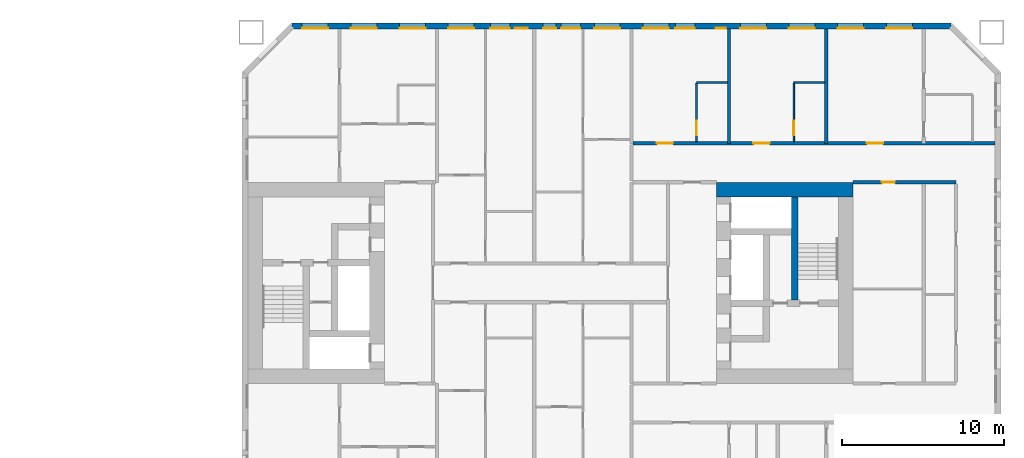
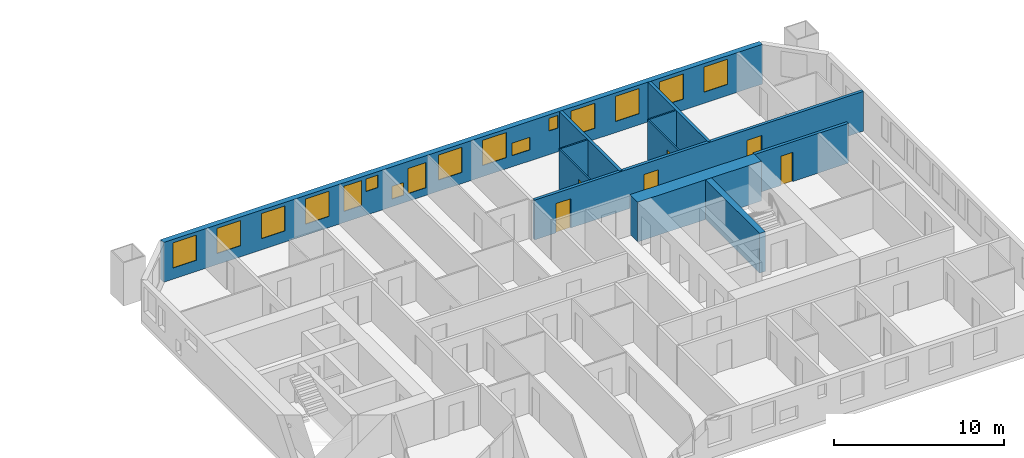
# One storey, part 15 of 18: 16 windows, 11 walls, 6 doors, 22 openings.
"""IFC4 building model written with IfcOpenShell, lengths in metres."""

import ifcopenshell
import ifcopenshell.guid

model = None  # the IFC model being written
_history = None  # IfcOwnerHistory: only IFC2X3 demands one
_inside = {}  # id of a spatial element -> (the spatial element, [elements in it])
_under = {}  # id of a project, library or spatial element -> (it, [spatial elements below it])
_declared = {}  # id of a project -> (the project, [libraries it declares])
_typed = {}  # id of a type object -> (the type object, [elements of that type])
_made_of = {}  # id of a material, layer set ... -> (it, [elements and type objects made of it])


def new_model(schema):
    """Start an empty IFC model of exactly this schema.

    Asked for "IFC4X3", IfcOpenShell would pick the latest addendum, in which some entities
    have other attributes; the version numbers below select the first issue.
    IFC2X3 requires an IfcOwnerHistory on every rooted entity: one is made here for all.
    """
    global model, _history
    if schema == "IFC4X3":
        model = ifcopenshell.file(schema_version=(4, 3, 0, 0))
    else:
        model = ifcopenshell.file(schema=schema)
    _inside.clear()
    _under.clear()
    _declared.clear()
    _typed.clear()
    _made_of.clear()
    _history = None
    if model.schema == "IFC2X3":
        org = make("IfcOrganization", Name="unknown")
        user = make(
            "IfcPersonAndOrganization",
            ThePerson=make("IfcPerson", FamilyName="unknown"),
            TheOrganization=org,
        )
        app = make(
            "IfcApplication",
            ApplicationDeveloper=org,
            Version="unknown",
            ApplicationFullName="unknown",
            ApplicationIdentifier="unknown",
        )
        _history = make(
            "IfcOwnerHistory",
            OwningUser=user,
            OwningApplication=app,
            ChangeAction="ADDED",
            CreationDate=0,
        )
    return model


def make(cls, **values):
    """One entity of the class cls with the attributes given. An attribute that is None is left unset."""
    return model.create_entity(
        cls, **{name: value for name, value in values.items() if value is not None}
    )


def rooted(cls, **values):
    """An entity with a GlobalId (a new one), such as an element, a storey or a relation."""
    return make(cls, GlobalId=ifcopenshell.guid.new(), OwnerHistory=_history, **values)


def si_unit(unit_type, name, prefix=None):
    """IfcSIUnit, for example si_unit("LENGTHUNIT", "METRE", prefix="MILLI")."""
    return make("IfcSIUnit", UnitType=unit_type, Prefix=prefix, Name=name)


def assignment(units):
    """IfcUnitAssignment: the units of a project."""
    return None if units is None else make("IfcUnitAssignment", Units=units)


def point(xyz):
    """IfcCartesianPoint."""
    return None if xyz is None else make("IfcCartesianPoint", Coordinates=xyz)


def direction(xyz):
    """IfcDirection."""
    return None if xyz is None else make("IfcDirection", DirectionRatios=xyz)


def frame(location, z_axis=None, x_axis=None):
    """IfcAxis2Placement3D, a coordinate frame: its origin and axes. An axis left out is left unset."""
    return make(
        "IfcAxis2Placement3D",
        Location=point(location),
        Axis=direction(z_axis),
        RefDirection=direction(x_axis),
    )


def frame_2d(location, x_axis=None):
    """IfcAxis2Placement2D, a coordinate frame in the plane: its origin and x axis."""
    return make(
        "IfcAxis2Placement2D", Location=point(location), RefDirection=direction(x_axis)
    )


def origin():
    """The frame at (0, 0, 0) with its axes left unset."""
    return frame((0.0, 0.0, 0.0))


def place(relative_to, where):
    """IfcLocalPlacement: puts the frame where relative to a parent placement (None: the world)."""
    return make(
        "IfcLocalPlacement", PlacementRelTo=relative_to, RelativePlacement=where
    )


def context(
    kind, dimensions, precision=None, world=None, true_north=None, identifier=None
):
    """IfcGeometricRepresentationContext, for example the 3D "Model" context."""
    return make(
        "IfcGeometricRepresentationContext",
        ContextIdentifier=identifier,
        ContextType=kind,
        CoordinateSpaceDimension=dimensions,
        Precision=precision,
        WorldCoordinateSystem=world,
        TrueNorth=true_north,
    )


def subcontext(parent, identifier, kind, view, scale=None):
    """IfcGeometricRepresentationSubContext, for example "Body" below "Model"."""
    return make(
        "IfcGeometricRepresentationSubContext",
        ContextIdentifier=identifier,
        ContextType=kind,
        ParentContext=parent,
        TargetScale=scale,
        TargetView=view,
    )


def project(units=None, contexts=None):
    """IfcProject with its units and contexts."""
    return rooted(
        "IfcProject",
        Name="project",
        RepresentationContexts=contexts,
        UnitsInContext=assignment(units),
    )


def spatial(cls, under=None, at=None, **own):
    """A site, building, storey or space (cls), placed at a placement, below another one or the project."""
    s = rooted(cls, ObjectPlacement=at, **own)
    if under is not None:
        _under.setdefault(under.id(), (under, []))[1].append(s)
    return s


def profile(cls, at=None, kind="AREA", **sizes):
    """A parametric profile (cls). Its sizes go by their IFC names, for example OverallWidth=200.0."""
    return make(cls, ProfileType=kind, Position=at, **sizes)


def rectangle(**sizes):
    """IfcRectangleProfileDef."""
    return profile("IfcRectangleProfileDef", **sizes)


def extrude(swept, where, along, depth):
    """IfcExtrudedAreaSolid: the profile swept, set in the frame where, extruded along a direction by depth."""
    return make(
        "IfcExtrudedAreaSolid",
        SweptArea=swept,
        Position=where,
        ExtrudedDirection=direction(along),
        Depth=depth,
    )


def shape(context_of_items, identifier, shape_type, items):
    """IfcShapeRepresentation: the items that make up one representation, for example the "Body"."""
    return make(
        "IfcShapeRepresentation",
        ContextOfItems=context_of_items,
        RepresentationIdentifier=identifier,
        RepresentationType=shape_type,
        Items=items,
    )


def material(Name=None, Category=None):
    """IfcMaterial."""
    return make("IfcMaterial", Name=Name, Category=Category)


def layer(
    of_material, thickness, ventilated=None, Name=None, Category=None, Priority=None
):
    """IfcMaterialLayer: one layer of a wall or slab, of a material (None: an air gap)."""
    return make(
        "IfcMaterialLayer",
        Material=of_material,
        LayerThickness=thickness,
        IsVentilated=ventilated,
        Name=Name,
        Category=Category,
        Priority=Priority,
    )


def layer_set(layers, Name=None):
    """IfcMaterialLayerSet."""
    return make("IfcMaterialLayerSet", MaterialLayers=layers, LayerSetName=Name)


def made_of(thing, what):
    """Note that an element or type object is made of a material, layer set ...; save() writes the relation."""
    if what is not None:
        _made_of.setdefault(what.id(), (what, []))[1].append(thing)
    return thing


def type_object(cls, material=None, **own):
    """A type object (cls), such as IfcWallType, which elements share."""
    return made_of(rooted(cls, **own), material)


def element(
    cls,
    number,
    at=None,
    inside=None,
    cuts=None,
    type_object=None,
    material=None,
    context=None,
    identifier="Body",
    shape_type=None,
    held_by="IfcProductDefinitionShape",
    body=None,
    shapes=None,
    **own,
):
    """One element of the class cls, such as IfcWall. Its Tag is "e" and its number.

    at: its placement. inside: the storey or other place that contains it. cuts: it is an
    opening in that element (IfcRelVoidsElement). A single representation is given by context,
    identifier, shape_type and body (its items); several are given by shapes. held_by: the class
    of the entity that holds the representations. save() writes the other relations.
    """
    e = rooted(cls, Tag="e%d" % number, ObjectPlacement=at, **own)
    if body is not None:
        shapes = [shape(context, identifier, shape_type, body)]
    if shapes is not None:
        e.Representation = make(held_by, Representations=shapes)
    if inside is not None:
        _inside.setdefault(inside.id(), (inside, []))[1].append(e)
    if cuts is not None:
        rooted(
            "IfcRelVoidsElement", RelatingBuildingElement=cuts, RelatedOpeningElement=e
        )
    if type_object is not None:
        _typed.setdefault(type_object.id(), (type_object, []))[1].append(e)
    return made_of(e, material)


def fill(opening, filler):
    """IfcRelFillsElement: the door or window that sits in an opening."""
    return rooted(
        "IfcRelFillsElement",
        RelatingOpeningElement=opening,
        RelatedBuildingElement=filler,
    )


def aggregate(whole, parts):
    """IfcRelAggregates: a whole, such as a stair, and the parts it consists of."""
    return rooted("IfcRelAggregates", RelatingObject=whole, RelatedObjects=parts)


def save(model, path):
    """Write the relations noted so far, then the file.

    IfcRelAggregates (storeys below a building ...), IfcRelContainedInSpatialStructure (elements
    in a storey), IfcRelDefinesByType, IfcRelAssociatesMaterial and IfcRelDeclares: one each for
    every whole, place, type object, material and project.
    """
    for whole, parts in _under.values():
        aggregate(whole, parts)
    for where, things in _inside.values():
        rooted(
            "IfcRelContainedInSpatialStructure",
            RelatedElements=things,
            RelatingStructure=where,
        )
    for kind, things in _typed.values():
        rooted("IfcRelDefinesByType", RelatedObjects=things, RelatingType=kind)
    for what, things in _made_of.values():
        rooted("IfcRelAssociatesMaterial", RelatedObjects=things, RelatingMaterial=what)
    for by, libraries in _declared.values():
        rooted("IfcRelDeclares", RelatingContext=by, RelatedDefinitions=libraries)
    model.write(path)


model = new_model("IFC4")

# Units and contexts
model_context = context("Model", 3, precision=1e-05, world=origin(), true_north=direction((0.0, 1.0)))
body_context = subcontext(model_context, "Body", "Model", "MODEL_VIEW")
ifc_project = project(units=[si_unit("LENGTHUNIT", "METRE"), si_unit("AREAUNIT", "SQUARE_METRE"), si_unit("VOLUMEUNIT", "CUBIC_METRE"), si_unit("PLANEANGLEUNIT", "RADIAN"), si_unit("MASSUNIT", "GRAM", prefix="KILO")], contexts=[model_context])

# Site, building, storey
site_placement = place(None, origin())
site = spatial("IfcSite", under=ifc_project, at=site_placement, CompositionType="ELEMENT")
building_placement = place(site_placement, origin())
building = spatial("IfcBuilding", under=site, at=building_placement, Name="Tuart Gate Housing", CompositionType="ELEMENT")
storey_placement = place(building_placement, frame((0.0, 0.0, 31.89990234375)))
storey = spatial("IfcBuildingStorey", under=building, at=storey_placement, Name="L08", CompositionType="ELEMENT", Elevation=31.89990234375)

# Wall, openings, windows
ifc_material_1 = material(Name="Brick", Category="masonry")
ifc_layer_1 = layer(ifc_material_1, 0.360107421875)
ifc_layer_set_1 = layer_set([ifc_layer_1], Name="Brick pier and spandrel wall 360")
wall_type_1 = type_object("IfcWallType", Name="Brick pier and spandrel wall 360", PredefinedType="STANDARD", material=ifc_layer_set_1)
wall_1_placement = place(storey_placement, frame((174.67529296875, 85.820068359375, 0.0), z_axis=(0.0, 0.0, 1.0), x_axis=(-1.0, 0.0, 0.0)))
wall_1 = element("IfcWall", 1, at=wall_1_placement, inside=storey, type_object=wall_type_1, Name="External wall B-N L08", PredefinedType="STANDARD", context=body_context, shape_type="SweptSolid", body=[
    extrude(rectangle(XDim=40.600830078125, YDim=0.360107421875, at=frame_2d((20.30029296875, 0.0))), origin(), (0.0, 0.0, 1.0), 2.85009765625),
])
opening_1_placement = place(wall_1_placement, frame((2.37548828125, 0.0, 0.800048828125)))
opening_1 = element("IfcOpeningElement", 2, at=opening_1_placement, cuts=wall_1, Name="Opening W1", PredefinedType="OPENING", context=body_context, shape_type="SweptSolid", body=[
    extrude(rectangle(XDim=1.60009765625, YDim=1.800048828125, at=frame_2d((0.800048828125, 0.89990234375))), frame((0.0, 0.18994140625, 0.0), z_axis=(0.0, -1.0, 0.0), x_axis=(1.0, 0.0, 0.0)), (0.0, 0.0, 1.0), 0.380126953125),
])
opening_2_placement = place(wall_1_placement, frame((5.37548828125, 0.0, 0.800048828125)))
opening_2 = element("IfcOpeningElement", 3, at=opening_2_placement, cuts=wall_1, Name="Opening W1", PredefinedType="OPENING", context=body_context, shape_type="SweptSolid", body=[
    extrude(rectangle(XDim=1.60009765625, YDim=1.800048828125, at=frame_2d((0.800048828125, 0.89990234375))), frame((0.0, 0.18994140625, 0.0), z_axis=(0.0, -1.0, 0.0), x_axis=(1.0, 0.0, 0.0)), (0.0, 0.0, 1.0), 0.380126953125),
])
opening_3_placement = place(wall_1_placement, frame((8.37548828125, 0.0, 0.800048828125)))
opening_3 = element("IfcOpeningElement", 4, at=opening_3_placement, cuts=wall_1, Name="Opening W1", PredefinedType="OPENING", context=body_context, shape_type="SweptSolid", body=[
    extrude(rectangle(XDim=1.60009765625, YDim=1.800048828125, at=frame_2d((0.800048828125, 0.89990234375))), frame((0.0, 0.18994140625, 0.0), z_axis=(0.0, -1.0, 0.0), x_axis=(1.0, 0.0, 0.0)), (0.0, 0.0, 1.0), 0.380126953125),
])
opening_4_placement = place(wall_1_placement, frame((11.37548828125, 0.0, 0.800048828125)))
opening_4 = element("IfcOpeningElement", 5, at=opening_4_placement, cuts=wall_1, Name="Opening W1", PredefinedType="OPENING", context=body_context, shape_type="SweptSolid", body=[
    extrude(rectangle(XDim=1.60009765625, YDim=1.800048828125, at=frame_2d((0.800048828125, 0.89990234375))), frame((0.0, 0.18994140625, 0.0), z_axis=(0.0, -1.0, 0.0), x_axis=(1.0, 0.0, 0.0)), (0.0, 0.0, 1.0), 0.380126953125),
])
opening_5_placement = place(wall_1_placement, frame((13.87548828125, 0.0, 1.699951171875)))
opening_5 = element("IfcOpeningElement", 6, at=opening_5_placement, cuts=wall_1, Name="Opening W1W", PredefinedType="OPENING", context=body_context, shape_type="SweptSolid", body=[
    extrude(rectangle(XDim=0.60009765625, YDim=0.89990234375, at=frame_2d((0.300048828125, 0.449951171875))), frame((0.0, 0.18994140625, 0.0), z_axis=(0.0, -1.0, 0.0), x_axis=(1.0, 0.0, 0.0)), (0.0, 0.0, 1.0), 0.380126953125),
])
opening_6_placement = place(wall_1_placement, frame((17.37548828125, 0.0, 0.800048828125)))
opening_6 = element("IfcOpeningElement", 7, at=opening_6_placement, cuts=wall_1, Name="Opening W1", PredefinedType="OPENING", context=body_context, shape_type="SweptSolid", body=[
    extrude(rectangle(XDim=1.60009765625, YDim=1.800048828125, at=frame_2d((0.800048828125, 0.89990234375))), frame((0.0, 0.18994140625, 0.0), z_axis=(0.0, -1.0, 0.0), x_axis=(1.0, 0.0, 0.0)), (0.0, 0.0, 1.0), 0.380126953125),
])
opening_7_placement = place(wall_1_placement, frame((20.37548828125, 0.0, 0.800048828125)))
opening_7 = element("IfcOpeningElement", 8, at=opening_7_placement, cuts=wall_1, Name="Opening W1", PredefinedType="OPENING", context=body_context, shape_type="SweptSolid", body=[
    extrude(rectangle(XDim=1.60009765625, YDim=1.800048828125, at=frame_2d((0.800048828125, 0.89990234375))), frame((0.0, 0.18994140625, 0.0), z_axis=(0.0, -1.0, 0.0), x_axis=(1.0, 0.0, 0.0)), (0.0, 0.0, 1.0), 0.380126953125),
])
opening_8_placement = place(wall_1_placement, frame((22.825439453125, 0.0, 0.550048828125)))
opening_8 = element("IfcOpeningElement", 9, at=opening_8_placement, cuts=wall_1, Name="Opening W1B", PredefinedType="OPENING", context=body_context, shape_type="SweptSolid", body=[
    extrude(rectangle(XDim=1.199951171875, YDim=1.800048828125, at=frame_2d((0.60009765625, 0.89990234375))), frame((0.0, 0.18994140625, 0.0), z_axis=(0.0, -1.0, 0.0), x_axis=(1.0, 0.0, 0.0)), (0.0, 0.0, 1.0), 0.380126953125),
])
opening_9_placement = place(wall_1_placement, frame((26.075439453125, 0.0, 1.699951171875)))
opening_9 = element("IfcOpeningElement", 10, at=opening_9_placement, cuts=wall_1, Name="Opening W1V", PredefinedType="OPENING", context=body_context, shape_type="SweptSolid", body=[
    extrude(rectangle(XDim=0.800048828125, YDim=0.89990234375, at=frame_2d((0.39990234375, 0.449951171875))), frame((0.0, 0.18994140625, 0.0), z_axis=(0.0, -1.0, 0.0), x_axis=(1.0, 0.0, 0.0)), (0.0, 0.0, 1.0), 0.380126953125),
])
opening_10_placement = place(wall_1_placement, frame((29.37548828125, 0.0, 0.800048828125)))
opening_10 = element("IfcOpeningElement", 11, at=opening_10_placement, cuts=wall_1, Name="Opening W1", PredefinedType="OPENING", context=body_context, shape_type="SweptSolid", body=[
    extrude(rectangle(XDim=1.60009765625, YDim=1.800048828125, at=frame_2d((0.800048828125, 0.89990234375))), frame((0.0, 0.18994140625, 0.0), z_axis=(0.0, -1.0, 0.0), x_axis=(1.0, 0.0, 0.0)), (0.0, 0.0, 1.0), 0.380126953125),
])
opening_11_placement = place(wall_1_placement, frame((32.37548828125, 0.0, 0.800048828125)))
opening_11 = element("IfcOpeningElement", 12, at=opening_11_placement, cuts=wall_1, Name="Opening W1", PredefinedType="OPENING", context=body_context, shape_type="SweptSolid", body=[
    extrude(rectangle(XDim=1.60009765625, YDim=1.800048828125, at=frame_2d((0.800048828125, 0.89990234375))), frame((0.0, 0.18994140625, 0.0), z_axis=(0.0, -1.0, 0.0), x_axis=(1.0, 0.0, 0.0)), (0.0, 0.0, 1.0), 0.380126953125),
])
opening_12_placement = place(wall_1_placement, frame((35.37548828125, 0.0, 0.800048828125)))
opening_12 = element("IfcOpeningElement", 13, at=opening_12_placement, cuts=wall_1, Name="Opening W1", PredefinedType="OPENING", context=body_context, shape_type="SweptSolid", body=[
    extrude(rectangle(XDim=1.60009765625, YDim=1.800048828125, at=frame_2d((0.800048828125, 0.89990234375))), frame((0.0, 0.18994140625, 0.0), z_axis=(0.0, -1.0, 0.0), x_axis=(1.0, 0.0, 0.0)), (0.0, 0.0, 1.0), 0.380126953125),
])
opening_13_placement = place(wall_1_placement, frame((38.37548828125, 0.0, 0.800048828125)))
opening_13 = element("IfcOpeningElement", 14, at=opening_13_placement, cuts=wall_1, Name="Opening W1", PredefinedType="OPENING", context=body_context, shape_type="SweptSolid", body=[
    extrude(rectangle(XDim=1.60009765625, YDim=1.800048828125, at=frame_2d((0.800048828125, 0.89990234375))), frame((0.0, 0.18994140625, 0.0), z_axis=(0.0, -1.0, 0.0), x_axis=(1.0, 0.0, 0.0)), (0.0, 0.0, 1.0), 0.380126953125),
])
opening_14_placement = place(wall_1_placement, frame((15.775390625, 0.0, 0.800048828125)))
opening_14 = element("IfcOpeningElement", 15, at=opening_14_placement, cuts=wall_1, Name="Opening W1T", PredefinedType="OPENING", context=body_context, shape_type="SweptSolid", body=[
    extrude(rectangle(XDim=1.199951171875, YDim=0.89990234375, at=frame_2d((0.60009765625, 0.449951171875))), frame((0.0, 0.18994140625, 0.0), z_axis=(0.0, -1.0, 0.0), x_axis=(1.0, 0.0, 0.0)), (0.0, 0.0, 1.0), 0.380126953125),
])
opening_15_placement = place(wall_1_placement, frame((24.325439453125, 0.0, 0.550048828125)))
opening_15 = element("IfcOpeningElement", 16, at=opening_15_placement, cuts=wall_1, Name="Opening W1V", PredefinedType="OPENING", context=body_context, shape_type="SweptSolid", body=[
    extrude(rectangle(XDim=0.800048828125, YDim=0.89990234375, at=frame_2d((0.39990234375, 0.449951171875))), frame((0.0, 0.18994140625, 0.0), z_axis=(0.0, -1.0, 0.0), x_axis=(1.0, 0.0, 0.0)), (0.0, 0.0, 1.0), 0.380126953125),
])
opening_16_placement = place(wall_1_placement, frame((27.17529296875, 0.0, 0.800048828125)))
opening_16 = element("IfcOpeningElement", 17, at=opening_16_placement, cuts=wall_1, Name="Opening W1B", PredefinedType="OPENING", context=body_context, shape_type="SweptSolid", body=[
    extrude(rectangle(XDim=1.199951171875, YDim=1.800048828125, at=frame_2d((0.60009765625, 0.89990234375))), frame((0.0, 0.18994140625, 0.0), z_axis=(0.0, -1.0, 0.0), x_axis=(1.0, 0.0, 0.0)), (0.0, 0.0, 1.0), 0.380126953125),
])
ifc_material_2 = material(Name="Aluminium frame with clear glass", Category="aluminium")
window_type_1 = type_object("IfcWindowType", Name="Punched window 1200 x 1800", PartitioningType="SINGLE_PANEL", PredefinedType="WINDOW", material=ifc_material_2)
window_1_placement = place(opening_8_placement, origin())
window_1 = element("IfcWindow", 18, at=window_1_placement, inside=storey, type_object=window_type_1, Name="Window W1B", OverallHeight=1.800048828125, OverallWidth=1.199951171875, PartitioningType="SINGLE_PANEL", PredefinedType="WINDOW", context=body_context, shape_type="SweptSolid", body=[
    extrude(rectangle(XDim=1.199951171875, YDim=1.800048828125, at=frame_2d((0.60009765625, 0.89990234375))), frame((0.0, 0.150146484375, 0.0), z_axis=(0.0, -1.0, 0.0), x_axis=(1.0, 0.0, 0.0)), (0.0, 0.0, 1.0), 0.06005859375),
])
fill(opening_8, window_1)
window_2_placement = place(opening_16_placement, origin())
window_2 = element("IfcWindow", 19, at=window_2_placement, inside=storey, type_object=window_type_1, Name="Window W1B", OverallHeight=1.800048828125, OverallWidth=1.199951171875, PartitioningType="SINGLE_PANEL", PredefinedType="WINDOW", context=body_context, shape_type="SweptSolid", body=[
    extrude(rectangle(XDim=1.199951171875, YDim=1.800048828125, at=frame_2d((0.60009765625, 0.89990234375))), frame((0.0, 0.150146484375, 0.0), z_axis=(0.0, -1.0, 0.0), x_axis=(1.0, 0.0, 0.0)), (0.0, 0.0, 1.0), 0.06005859375),
])
fill(opening_16, window_2)
ifc_material_3 = material(Name="Aluminium frame with clear glass", Category="aluminium")
window_type_2 = type_object("IfcWindowType", Name="Punched window 1200 x 900", PartitioningType="SINGLE_PANEL", PredefinedType="WINDOW", material=ifc_material_3)
window_3_placement = place(opening_14_placement, origin())
window_3 = element("IfcWindow", 20, at=window_3_placement, inside=storey, type_object=window_type_2, Name="Window W1T", OverallHeight=0.89990234375, OverallWidth=1.199951171875, PartitioningType="SINGLE_PANEL", PredefinedType="WINDOW", context=body_context, shape_type="SweptSolid", body=[
    extrude(rectangle(XDim=1.199951171875, YDim=0.89990234375, at=frame_2d((0.60009765625, 0.449951171875))), frame((0.0, 0.150146484375, 0.0), z_axis=(0.0, -1.0, 0.0), x_axis=(1.0, 0.0, 0.0)), (0.0, 0.0, 1.0), 0.06005859375),
])
fill(opening_14, window_3)
ifc_material_4 = material(Name="Aluminium frame with clear glass", Category="aluminium")
window_type_3 = type_object("IfcWindowType", Name="Punched window 1600 x 1800", PartitioningType="SINGLE_PANEL", PredefinedType="WINDOW", material=ifc_material_4)
window_4_placement = place(opening_1_placement, origin())
window_4 = element("IfcWindow", 21, at=window_4_placement, inside=storey, type_object=window_type_3, Name="Window W1", OverallHeight=1.800048828125, OverallWidth=1.60009765625, PartitioningType="SINGLE_PANEL", PredefinedType="WINDOW", context=body_context, shape_type="SweptSolid", body=[
    extrude(rectangle(XDim=1.60009765625, YDim=1.800048828125, at=frame_2d((0.800048828125, 0.89990234375))), frame((0.0, 0.150146484375, 0.0), z_axis=(0.0, -1.0, 0.0), x_axis=(1.0, 0.0, 0.0)), (0.0, 0.0, 1.0), 0.06005859375),
])
fill(opening_1, window_4)
window_5_placement = place(opening_2_placement, origin())
window_5 = element("IfcWindow", 22, at=window_5_placement, inside=storey, type_object=window_type_3, Name="Window W1", OverallHeight=1.800048828125, OverallWidth=1.60009765625, PartitioningType="SINGLE_PANEL", PredefinedType="WINDOW", context=body_context, shape_type="SweptSolid", body=[
    extrude(rectangle(XDim=1.60009765625, YDim=1.800048828125, at=frame_2d((0.800048828125, 0.89990234375))), frame((0.0, 0.150146484375, 0.0), z_axis=(0.0, -1.0, 0.0), x_axis=(1.0, 0.0, 0.0)), (0.0, 0.0, 1.0), 0.06005859375),
])
fill(opening_2, window_5)
window_6_placement = place(opening_3_placement, origin())
window_6 = element("IfcWindow", 23, at=window_6_placement, inside=storey, type_object=window_type_3, Name="Window W1", OverallHeight=1.800048828125, OverallWidth=1.60009765625, PartitioningType="SINGLE_PANEL", PredefinedType="WINDOW", context=body_context, shape_type="SweptSolid", body=[
    extrude(rectangle(XDim=1.60009765625, YDim=1.800048828125, at=frame_2d((0.800048828125, 0.89990234375))), frame((0.0, 0.150146484375, 0.0), z_axis=(0.0, -1.0, 0.0), x_axis=(1.0, 0.0, 0.0)), (0.0, 0.0, 1.0), 0.06005859375),
])
fill(opening_3, window_6)
window_7_placement = place(opening_4_placement, origin())
window_7 = element("IfcWindow", 24, at=window_7_placement, inside=storey, type_object=window_type_3, Name="Window W1", OverallHeight=1.800048828125, OverallWidth=1.60009765625, PartitioningType="SINGLE_PANEL", PredefinedType="WINDOW", context=body_context, shape_type="SweptSolid", body=[
    extrude(rectangle(XDim=1.60009765625, YDim=1.800048828125, at=frame_2d((0.800048828125, 0.89990234375))), frame((0.0, 0.150146484375, 0.0), z_axis=(0.0, -1.0, 0.0), x_axis=(1.0, 0.0, 0.0)), (0.0, 0.0, 1.0), 0.06005859375),
])
fill(opening_4, window_7)
window_8_placement = place(opening_6_placement, origin())
window_8 = element("IfcWindow", 25, at=window_8_placement, inside=storey, type_object=window_type_3, Name="Window W1", OverallHeight=1.800048828125, OverallWidth=1.60009765625, PartitioningType="SINGLE_PANEL", PredefinedType="WINDOW", context=body_context, shape_type="SweptSolid", body=[
    extrude(rectangle(XDim=1.60009765625, YDim=1.800048828125, at=frame_2d((0.800048828125, 0.89990234375))), frame((0.0, 0.150146484375, 0.0), z_axis=(0.0, -1.0, 0.0), x_axis=(1.0, 0.0, 0.0)), (0.0, 0.0, 1.0), 0.06005859375),
])
fill(opening_6, window_8)
window_9_placement = place(opening_7_placement, origin())
window_9 = element("IfcWindow", 26, at=window_9_placement, inside=storey, type_object=window_type_3, Name="Window W1", OverallHeight=1.800048828125, OverallWidth=1.60009765625, PartitioningType="SINGLE_PANEL", PredefinedType="WINDOW", context=body_context, shape_type="SweptSolid", body=[
    extrude(rectangle(XDim=1.60009765625, YDim=1.800048828125, at=frame_2d((0.800048828125, 0.89990234375))), frame((0.0, 0.150146484375, 0.0), z_axis=(0.0, -1.0, 0.0), x_axis=(1.0, 0.0, 0.0)), (0.0, 0.0, 1.0), 0.06005859375),
])
fill(opening_7, window_9)
window_10_placement = place(opening_10_placement, origin())
window_10 = element("IfcWindow", 27, at=window_10_placement, inside=storey, type_object=window_type_3, Name="Window W1", OverallHeight=1.800048828125, OverallWidth=1.60009765625, PartitioningType="SINGLE_PANEL", PredefinedType="WINDOW", context=body_context, shape_type="SweptSolid", body=[
    extrude(rectangle(XDim=1.60009765625, YDim=1.800048828125, at=frame_2d((0.800048828125, 0.89990234375))), frame((0.0, 0.150146484375, 0.0), z_axis=(0.0, -1.0, 0.0), x_axis=(1.0, 0.0, 0.0)), (0.0, 0.0, 1.0), 0.06005859375),
])
fill(opening_10, window_10)
window_11_placement = place(opening_11_placement, origin())
window_11 = element("IfcWindow", 28, at=window_11_placement, inside=storey, type_object=window_type_3, Name="Window W1", OverallHeight=1.800048828125, OverallWidth=1.60009765625, PartitioningType="SINGLE_PANEL", PredefinedType="WINDOW", context=body_context, shape_type="SweptSolid", body=[
    extrude(rectangle(XDim=1.60009765625, YDim=1.800048828125, at=frame_2d((0.800048828125, 0.89990234375))), frame((0.0, 0.150146484375, 0.0), z_axis=(0.0, -1.0, 0.0), x_axis=(1.0, 0.0, 0.0)), (0.0, 0.0, 1.0), 0.06005859375),
])
fill(opening_11, window_11)
window_12_placement = place(opening_12_placement, origin())
window_12 = element("IfcWindow", 29, at=window_12_placement, inside=storey, type_object=window_type_3, Name="Window W1", OverallHeight=1.800048828125, OverallWidth=1.60009765625, PartitioningType="SINGLE_PANEL", PredefinedType="WINDOW", context=body_context, shape_type="SweptSolid", body=[
    extrude(rectangle(XDim=1.60009765625, YDim=1.800048828125, at=frame_2d((0.800048828125, 0.89990234375))), frame((0.0, 0.150146484375, 0.0), z_axis=(0.0, -1.0, 0.0), x_axis=(1.0, 0.0, 0.0)), (0.0, 0.0, 1.0), 0.06005859375),
])
fill(opening_12, window_12)
window_13_placement = place(opening_13_placement, origin())
window_13 = element("IfcWindow", 30, at=window_13_placement, inside=storey, type_object=window_type_3, Name="Window W1", OverallHeight=1.800048828125, OverallWidth=1.60009765625, PartitioningType="SINGLE_PANEL", PredefinedType="WINDOW", context=body_context, shape_type="SweptSolid", body=[
    extrude(rectangle(XDim=1.60009765625, YDim=1.800048828125, at=frame_2d((0.800048828125, 0.89990234375))), frame((0.0, 0.150146484375, 0.0), z_axis=(0.0, -1.0, 0.0), x_axis=(1.0, 0.0, 0.0)), (0.0, 0.0, 1.0), 0.06005859375),
])
fill(opening_13, window_13)
ifc_material_5 = material(Name="Aluminium frame with clear glass", Category="aluminium")
window_type_4 = type_object("IfcWindowType", Name="Punched window 600 x 900", PartitioningType="SINGLE_PANEL", PredefinedType="WINDOW", material=ifc_material_5)
window_14_placement = place(opening_5_placement, origin())
window_14 = element("IfcWindow", 31, at=window_14_placement, inside=storey, type_object=window_type_4, Name="Window W1W", OverallHeight=0.89990234375, OverallWidth=0.60009765625, PartitioningType="SINGLE_PANEL", PredefinedType="WINDOW", context=body_context, shape_type="SweptSolid", body=[
    extrude(rectangle(XDim=0.60009765625, YDim=0.89990234375, at=frame_2d((0.300048828125, 0.449951171875))), frame((0.0, 0.150146484375, 0.0), z_axis=(0.0, -1.0, 0.0), x_axis=(1.0, 0.0, 0.0)), (0.0, 0.0, 1.0), 0.06005859375),
])
fill(opening_5, window_14)
ifc_material_6 = material(Name="Aluminium frame with clear glass", Category="aluminium")
window_type_5 = type_object("IfcWindowType", Name="Punched window 800 x 900", PartitioningType="SINGLE_PANEL", PredefinedType="WINDOW", material=ifc_material_6)
window_15_placement = place(opening_9_placement, origin())
window_15 = element("IfcWindow", 32, at=window_15_placement, inside=storey, type_object=window_type_5, Name="Window W1V", OverallHeight=0.89990234375, OverallWidth=0.800048828125, PartitioningType="SINGLE_PANEL", PredefinedType="WINDOW", context=body_context, shape_type="SweptSolid", body=[
    extrude(rectangle(XDim=0.800048828125, YDim=0.89990234375, at=frame_2d((0.39990234375, 0.449951171875))), frame((0.0, 0.150146484375, 0.0), z_axis=(0.0, -1.0, 0.0), x_axis=(1.0, 0.0, 0.0)), (0.0, 0.0, 1.0), 0.06005859375),
])
fill(opening_9, window_15)
window_16_placement = place(opening_15_placement, origin())
window_16 = element("IfcWindow", 33, at=window_16_placement, inside=storey, type_object=window_type_5, Name="Window W1V", OverallHeight=0.89990234375, OverallWidth=0.800048828125, PartitioningType="SINGLE_PANEL", PredefinedType="WINDOW", context=body_context, shape_type="SweptSolid", body=[
    extrude(rectangle(XDim=0.800048828125, YDim=0.89990234375, at=frame_2d((0.39990234375, 0.449951171875))), frame((0.0, 0.150146484375, 0.0), z_axis=(0.0, -1.0, 0.0), x_axis=(1.0, 0.0, 0.0)), (0.0, 0.0, 1.0), 0.06005859375),
])
fill(opening_15, window_16)

# Walls
ifc_material_7 = material(Name="Concrete C60", Category="concrete")
ifc_layer_2 = layer(ifc_material_7, 0.39990234375)
ifc_layer_set_2 = layer_set([ifc_layer_2], Name="Core wall 400 C60")
wall_type_2 = type_object("IfcWallType", Name="Core wall 400 C60", PredefinedType="SHEAR", material=ifc_layer_set_2)
wall_2_placement = place(storey_placement, frame((165.0400390625, 75.300048828125, 0.0), z_axis=(0.0, 0.0, 1.0), x_axis=(0.0, -1.0, 0.0)))
element("IfcWall", 34, at=wall_2_placement, inside=storey, type_object=wall_type_2, Name="Core wall BK.6", PredefinedType="SHEAR", context=body_context, shape_type="SweptSolid", body=[
    extrude(rectangle(XDim=6.35009765625, YDim=0.39990234375, at=frame_2d((3.175048828125, 0.0))), origin(), (0.0, 0.0, 1.0), 2.85009765625),
])
ifc_material_8 = material(Name="Concrete C60", Category="concrete")
ifc_layer_3 = layer(ifc_material_8, 0.89990234375)
ifc_layer_set_3 = layer_set([ifc_layer_3], Name="Core wall 900 C60")
wall_type_3 = type_object("IfcWallType", Name="Core wall 900 C60", PredefinedType="SHEAR", material=ifc_layer_set_3)
wall_3_placement = place(storey_placement, frame((160.239990234375, 75.75, 0.0), z_axis=(0.0, 0.0, 1.0), x_axis=(1.0, 0.0, 0.0)))
element("IfcWall", 35, at=wall_3_placement, inside=storey, type_object=wall_type_3, Name="Core wall BK south", PredefinedType="SHEAR", context=body_context, shape_type="SweptSolid", body=[
    extrude(rectangle(XDim=8.39990234375, YDim=0.89990234375, at=frame_2d((4.199951171875, 0.0))), origin(), (0.0, 0.0, 1.0), 2.85009765625),
])

# Wall, opening, door
ifc_material_9 = material(Name="Concrete masonry 15 MPa", Category="masonry")
ifc_layer_4 = layer(ifc_material_9, 0.199951171875)
ifc_layer_set_4 = layer_set([ifc_layer_4], Name="Corridor wall masonry 200")
wall_type_4 = type_object("IfcWallType", Name="Corridor wall masonry 200", PredefinedType="PARTITIONING", material=ifc_layer_set_4)
wall_4_placement = place(storey_placement, frame((168.639892578125, 76.199951171875, 0.0), z_axis=(0.0, 0.0, 1.0), x_axis=(1.0, 0.0, 0.0)))
wall_4 = element("IfcWall", 36, at=wall_4_placement, inside=storey, type_object=wall_type_4, Name="Corridor wall masonry 200", PredefinedType="PARTITIONING", context=body_context, shape_type="SweptSolid", body=[
    extrude(rectangle(XDim=6.35009765625, YDim=0.199951171875, at=frame_2d((3.175048828125, 0.0))), origin(), (0.0, 0.0, 1.0), 2.85009765625),
])
opening_17_placement = place(wall_4_placement, frame((1.780029296875, 0.0, 0.0)))
opening_17 = element("IfcOpeningElement", 37, at=opening_17_placement, cuts=wall_4, Name="Opening D551", PredefinedType="OPENING", context=body_context, shape_type="SweptSolid", body=[
    extrude(rectangle(XDim=0.800048828125, YDim=2.10009765625, at=frame_2d((0.39990234375, 1.050048828125))), frame((0.0, 0.10986328125, 0.0), z_axis=(0.0, -1.0, 0.0), x_axis=(1.0, 0.0, 0.0)), (0.0, 0.0, 1.0), 0.219970703125),
])
ifc_material_10 = material(Name="Timber door leaf in steel frame", Category="steel")
door_type_1 = type_object("IfcDoorType", Name="Store door 800 RH", OperationType="SINGLE_SWING_RIGHT", PredefinedType="DOOR", material=ifc_material_10)
door_1_placement = place(opening_17_placement, frame((0.800048828125, 0.0, 0.0), z_axis=(0.0, 0.0, 1.0), x_axis=(-1.0, 0.0, 0.0)))
door_1 = element("IfcDoor", 38, at=door_1_placement, inside=storey, type_object=door_type_1, Name="Store door", OperationType="SINGLE_SWING_RIGHT", OverallHeight=2.10009765625, OverallWidth=0.800048828125, PredefinedType="DOOR", context=body_context, shape_type="SweptSolid", body=[
    extrude(rectangle(XDim=0.800048828125, YDim=2.10009765625, at=frame_2d((0.400146484375, 1.050048828125))), frame((0.0, 0.025146484375, 0.0), z_axis=(0.0, -1.0, 0.0), x_axis=(1.0, 0.0, 0.0)), (0.0, 0.0, 1.0), 0.050048828125),
])
fill(opening_17, door_1)

# Wall, openings, doors
wall_5_placement = place(storey_placement, frame((155.10009765625, 78.60009765625, 0.0), z_axis=(0.0, 0.0, 1.0), x_axis=(1.0, 0.0, 0.0)))
wall_5 = element("IfcWall", 39, at=wall_5_placement, inside=storey, type_object=wall_type_4, Name="Corridor wall masonry 200", PredefinedType="PARTITIONING", context=body_context, shape_type="SweptSolid", body=[
    extrude(rectangle(XDim=22.289794921875, YDim=0.199951171875, at=frame_2d((11.14501953125, 0.0))), origin(), (0.0, 0.0, 1.0), 2.85009765625),
])
opening_18_placement = place(wall_5_placement, frame((1.449951171875, 0.0, 0.0)))
opening_18 = element("IfcOpeningElement", 40, at=opening_18_placement, cuts=wall_5, Name="Opening D541", PredefinedType="OPENING", context=body_context, shape_type="SweptSolid", body=[
    extrude(rectangle(XDim=1.0, YDim=2.10009765625, at=frame_2d((0.5, 1.050048828125))), frame((0.0, 0.10986328125, 0.0), z_axis=(0.0, -1.0, 0.0), x_axis=(1.0, 0.0, 0.0)), (0.0, 0.0, 1.0), 0.219970703125),
])
opening_19_placement = place(wall_5_placement, frame((7.39990234375, 0.0, 0.0)))
opening_19 = element("IfcOpeningElement", 41, at=opening_19_placement, cuts=wall_5, Name="Opening D542", PredefinedType="OPENING", context=body_context, shape_type="SweptSolid", body=[
    extrude(rectangle(XDim=1.0, YDim=2.10009765625, at=frame_2d((0.5, 1.050048828125))), frame((0.0, 0.10986328125, 0.0), z_axis=(0.0, -1.0, 0.0), x_axis=(1.0, 0.0, 0.0)), (0.0, 0.0, 1.0), 0.219970703125),
])
opening_20_placement = place(wall_5_placement, frame((14.39990234375, 0.0, 0.0)))
opening_20 = element("IfcOpeningElement", 42, at=opening_20_placement, cuts=wall_5, Name="Opening D543", PredefinedType="OPENING", context=body_context, shape_type="SweptSolid", body=[
    extrude(rectangle(XDim=1.0, YDim=2.10009765625, at=frame_2d((0.5, 1.050048828125))), frame((0.0, 0.10986328125, 0.0), z_axis=(0.0, -1.0, 0.0), x_axis=(1.0, 0.0, 0.0)), (0.0, 0.0, 1.0), 0.219970703125),
])
ifc_material_11 = material(Name="Timber door leaf in steel frame", Category="steel")
door_type_2 = type_object("IfcDoorType", Name="Flat entrance door 1000", OperationType="SINGLE_SWING_LEFT", PredefinedType="DOOR", material=ifc_material_11)
door_2_placement = place(opening_19_placement, origin())
door_2 = element("IfcDoor", 43, at=door_2_placement, inside=storey, type_object=door_type_2, Name="Flat entrance door", OperationType="SINGLE_SWING_LEFT", OverallHeight=2.10009765625, OverallWidth=1.0, PredefinedType="DOOR", context=body_context, shape_type="SweptSolid", body=[
    extrude(rectangle(XDim=1.0, YDim=2.10009765625, at=frame_2d((0.5, 1.050048828125))), frame((0.0, 0.02490234375, 0.0), z_axis=(0.0, -1.0, 0.0), x_axis=(1.0, 0.0, 0.0)), (0.0, 0.0, 1.0), 0.050048828125),
])
fill(opening_19, door_2)
door_3_placement = place(opening_20_placement, origin())
door_3 = element("IfcDoor", 44, at=door_3_placement, inside=storey, type_object=door_type_2, Name="Flat entrance door", OperationType="SINGLE_SWING_LEFT", OverallHeight=2.10009765625, OverallWidth=1.0, PredefinedType="DOOR", context=body_context, shape_type="SweptSolid", body=[
    extrude(rectangle(XDim=1.0, YDim=2.10009765625, at=frame_2d((0.5, 1.050048828125))), frame((0.0, 0.02490234375, 0.0), z_axis=(0.0, -1.0, 0.0), x_axis=(1.0, 0.0, 0.0)), (0.0, 0.0, 1.0), 0.050048828125),
])
fill(opening_20, door_3)
ifc_material_12 = material(Name="Timber door leaf in steel frame", Category="steel")
door_type_3 = type_object("IfcDoorType", Name="Flat entrance door 1000 RH", OperationType="SINGLE_SWING_RIGHT", PredefinedType="DOOR", material=ifc_material_12)
door_4_placement = place(opening_18_placement, origin())
door_4 = element("IfcDoor", 45, at=door_4_placement, inside=storey, type_object=door_type_3, Name="Flat entrance door", OperationType="SINGLE_SWING_RIGHT", OverallHeight=2.10009765625, OverallWidth=1.0, PredefinedType="DOOR", context=body_context, shape_type="SweptSolid", body=[
    extrude(rectangle(XDim=1.0, YDim=2.10009765625, at=frame_2d((0.5, 1.050048828125))), frame((0.0, 0.02490234375, 0.0), z_axis=(0.0, -1.0, 0.0), x_axis=(1.0, 0.0, 0.0)), (0.0, 0.0, 1.0), 0.050048828125),
])
fill(opening_18, door_4)

# Walls
ifc_material_13 = material(Name="Gypsum board on steel studs", Category="steel")
ifc_layer_5 = layer(ifc_material_13, 0.10009765625)
ifc_layer_set_5 = layer_set([ifc_layer_5], Name="Partition 100")
wall_type_5 = type_object("IfcWallType", Name="Partition 100", PredefinedType="PARTITIONING", material=ifc_layer_set_5)
for number, where, z_axis, x_axis, name in (
    (46, (159.0, 82.35009765625, 0.0), (0.0, 0.0, 1.0), (1.0, 0.0, 0.0), "Partition 100"),
    (47, (165.0, 82.35009765625, 0.0), (0.0, 0.0, 1.0), (1.0, 0.0, 0.0), "Partition 100"),
):
    element("IfcWall", number, at=place(storey_placement, frame(where, z_axis=z_axis, x_axis=x_axis)), inside=storey, type_object=wall_type_5, Name=name, PredefinedType="PARTITIONING", context=body_context, shape_type="SweptSolid", body=[
        extrude(rectangle(XDim=1.89990234375, YDim=0.10009765625, at=frame_2d((0.949951171875, 0.0))), origin(), (0.0, 0.0, 1.0), 2.85009765625),
    ])

# Wall, opening, door
wall_6_placement = place(storey_placement, frame((159.0, 78.699951171875, 0.0), z_axis=(0.0, 0.0, 1.0), x_axis=(0.0, 1.0, 0.0)))
wall_6 = element("IfcWall", 48, at=wall_6_placement, inside=storey, type_object=wall_type_5, Name="Partition 100", PredefinedType="PARTITIONING", context=body_context, shape_type="SweptSolid", body=[
    extrude(rectangle(XDim=3.60009765625, YDim=0.10009765625, at=frame_2d((1.800048828125, 0.0))), origin(), (0.0, 0.0, 1.0), 2.85009765625),
])
opening_21_placement = place(wall_6_placement, frame((0.39990234375, 0.0, 0.0)))
opening_21 = element("IfcOpeningElement", 49, at=opening_21_placement, cuts=wall_6, Name="Opening D536", PredefinedType="OPENING", context=body_context, shape_type="SweptSolid", body=[
    extrude(rectangle(XDim=0.89990234375, YDim=2.10009765625, at=frame_2d((0.449951171875, 1.050048828125))), frame((0.0, 0.06005859375, 0.0), z_axis=(0.0, -1.0, 0.0), x_axis=(1.0, 0.0, 0.0)), (0.0, 0.0, 1.0), 0.1201171875),
])
ifc_material_14 = material(Name="Timber door leaf in steel frame", Category="steel")
door_type_4 = type_object("IfcDoorType", Name="Bathroom door 900 RH", OperationType="SINGLE_SWING_RIGHT", PredefinedType="DOOR", material=ifc_material_14)
door_5_placement = place(opening_21_placement, frame((0.89990234375, 0.0, 0.0), z_axis=(0.0, 0.0, 1.0), x_axis=(-1.0, 0.0, 0.0)))
door_5 = element("IfcDoor", 50, at=door_5_placement, inside=storey, type_object=door_type_4, Name="Bathroom door", OperationType="SINGLE_SWING_RIGHT", OverallHeight=2.10009765625, OverallWidth=0.89990234375, PredefinedType="DOOR", context=body_context, shape_type="SweptSolid", body=[
    extrude(rectangle(XDim=0.89990234375, YDim=2.10009765625, at=frame_2d((0.449951171875, 1.050048828125))), frame((0.0, 0.025146484375, 0.0), z_axis=(0.0, -1.0, 0.0), x_axis=(1.0, 0.0, 0.0)), (0.0, 0.0, 1.0), 0.050048828125),
])
fill(opening_21, door_5)

wall_7_placement = place(storey_placement, frame((165.0, 78.699951171875, 0.0), z_axis=(0.0, 0.0, 1.0), x_axis=(0.0, 1.0, 0.0)))
wall_7 = element("IfcWall", 51, at=wall_7_placement, inside=storey, type_object=wall_type_5, Name="Partition 100", PredefinedType="PARTITIONING", context=body_context, shape_type="SweptSolid", body=[
    extrude(rectangle(XDim=3.60009765625, YDim=0.10009765625, at=frame_2d((1.800048828125, 0.0))), origin(), (0.0, 0.0, 1.0), 2.85009765625),
])
opening_22_placement = place(wall_7_placement, frame((0.39990234375, 0.0, 0.0)))
opening_22 = element("IfcOpeningElement", 52, at=opening_22_placement, cuts=wall_7, Name="Opening D537", PredefinedType="OPENING", context=body_context, shape_type="SweptSolid", body=[
    extrude(rectangle(XDim=0.89990234375, YDim=2.10009765625, at=frame_2d((0.449951171875, 1.050048828125))), frame((0.0, 0.06005859375, 0.0), z_axis=(0.0, -1.0, 0.0), x_axis=(1.0, 0.0, 0.0)), (0.0, 0.0, 1.0), 0.1201171875),
])
door_6_placement = place(opening_22_placement, frame((0.89990234375, 0.0, 0.0), z_axis=(0.0, 0.0, 1.0), x_axis=(-1.0, 0.0, 0.0)))
door_6 = element("IfcDoor", 53, at=door_6_placement, inside=storey, type_object=door_type_4, Name="Bathroom door", OperationType="SINGLE_SWING_RIGHT", OverallHeight=2.10009765625, OverallWidth=0.89990234375, PredefinedType="DOOR", context=body_context, shape_type="SweptSolid", body=[
    extrude(rectangle(XDim=0.89990234375, YDim=2.10009765625, at=frame_2d((0.449951171875, 1.050048828125))), frame((0.0, 0.025146484375, 0.0), z_axis=(0.0, -1.0, 0.0), x_axis=(1.0, 0.0, 0.0)), (0.0, 0.0, 1.0), 0.050048828125),
])
fill(opening_22, door_6)

# Walls
ifc_material_15 = material(Name="Concrete C40", Category="concrete")
ifc_layer_6 = layer(ifc_material_15, 0.199951171875)
ifc_layer_set_6 = layer_set([ifc_layer_6], Name="Party wall concrete C40 200")
wall_type_6 = type_object("IfcWallType", Name="Party wall concrete C40 200", PredefinedType="SOLIDWALL", material=ifc_layer_set_6)
for number, where, z_axis, x_axis, name in (
    (54, (161.0, 78.60009765625, 0.0), (0.0, 0.0, 1.0), (0.0, 1.0, 0.0), "Party wall concrete C40 200"),
    (55, (167.0, 78.60009765625, 0.0), (0.0, 0.0, 1.0), (0.0, 1.0, 0.0), "Party wall concrete C40 200"),
):
    element("IfcWall", number, at=place(storey_placement, frame(where, z_axis=z_axis, x_axis=x_axis)), inside=storey, type_object=wall_type_6, Name=name, PredefinedType="SOLIDWALL", context=body_context, shape_type="SweptSolid", body=[
        extrude(rectangle(XDim=7.039794921875, YDim=0.199951171875, at=frame_2d((3.52001953125, 0.0))), origin(), (0.0, 0.0, 1.0), 2.85009765625),
    ])

save(model, "model.ifc")
